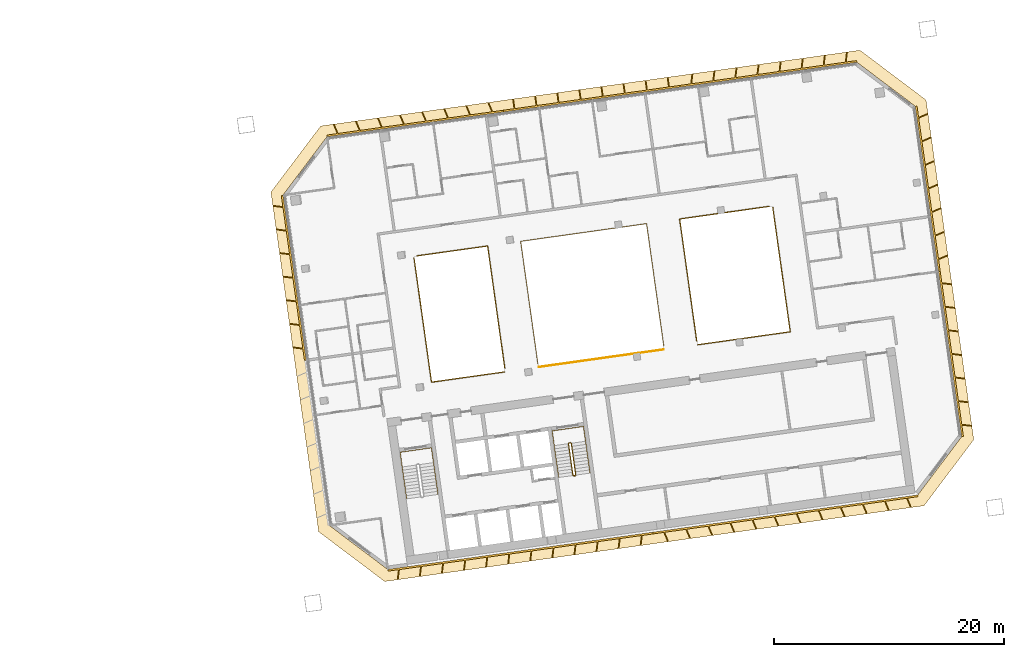
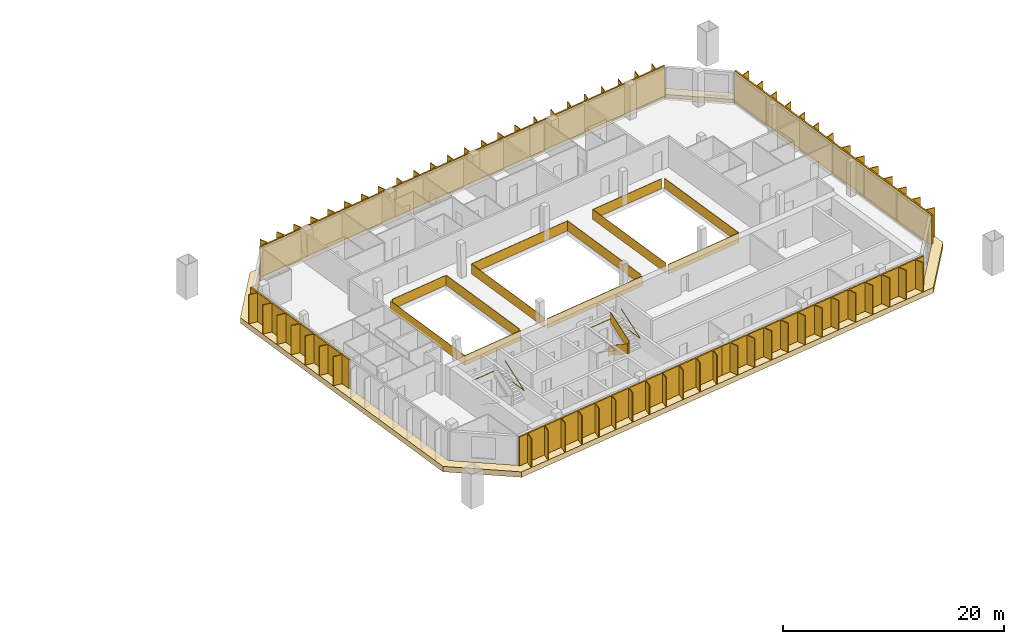
# One storey, part 23 of 23: 9 railings, 8 shading devices, 1 covering.
"""IFC4 building model written with IfcOpenShell, lengths in metres."""

from ifc_helpers import new_model, si_unit, direction, frame, origin, origin_2d, place, context, subcontext, project, spatial, polyline, rectangle, outline, extrude, material, layer, layer_set, type_object, element, save


model = new_model("IFC4")

# Units and contexts
model_context = context("Model", 3, precision=1e-05, world=origin(), true_north=direction((0.0, 1.0)))
body_context = subcontext(model_context, "Body", "Model", "MODEL_VIEW")
ifc_project = project(units=[si_unit("LENGTHUNIT", "METRE"), si_unit("AREAUNIT", "SQUARE_METRE"), si_unit("VOLUMEUNIT", "CUBIC_METRE"), si_unit("PLANEANGLEUNIT", "RADIAN"), si_unit("MASSUNIT", "GRAM", prefix="KILO")], contexts=[model_context])

# Site, building, storey
site_placement = place(None, origin())
site = spatial("IfcSite", under=ifc_project, at=site_placement, CompositionType="ELEMENT")
building_placement = place(site_placement, origin())
building = spatial("IfcBuilding", under=site, at=building_placement, Name="Mirante Cascada Hotel Towers", CompositionType="ELEMENT")
storey_placement = place(building_placement, frame((0.0, 0.0, 187.8)))
storey = spatial("IfcBuildingStorey", under=building, at=storey_placement, Name="L44", CompositionType="ELEMENT", Elevation=187.8)

# Railings
ifc_material_1 = material(Name="Toughened glass with stainless steel handrail", Category="steel")
railing_type_1 = type_object("IfcRailingType", Name="Atrium guard 1100 glass balustrade", PredefinedType="GUARDRAIL", material=ifc_material_1)
railing_1_placement = place(storey_placement, frame((37.864, 6.7125, 0.0)))
element("IfcRailing", 1, at=railing_1_placement, inside=storey, type_object=railing_type_1, Name="GUARD 2-L44-1", PredefinedType="GUARDRAIL", context=body_context, shape_type="SweptSolid", body=[
    extrude(rectangle(XDim=0.048, YDim=0.048, at=origin_2d()), frame((0.0, 0.0, 1.076), z_axis=(0.1391712, -0.9902683, 0.0), x_axis=(0.9902683, 0.1391712, 0.0)), (0.0, 0.0, 1.0), 10.9333),
    extrude(rectangle(XDim=0.02, YDim=1.052, at=origin_2d()), frame((0.0, 0.0, 0.526), z_axis=(0.1391712, -0.9902683, 0.0), x_axis=(0.9902683, 0.1391712, 0.0)), (0.0, 0.0, 1.0), 10.9333),
    extrude(rectangle(XDim=0.048, YDim=0.048, at=origin_2d()), frame((1.5216, -10.8269, 1.076), z_axis=(0.9902682, 0.1391722, 0.0), x_axis=(-0.1391722, 0.9902682, 0.0)), (0.0, 0.0, 1.0), 6.4309),
    extrude(rectangle(XDim=0.02, YDim=1.052, at=origin_2d()), frame((1.5216, -10.8269, 0.526), z_axis=(0.9902682, 0.1391722, 0.0), x_axis=(-0.1391722, 0.9902682, 0.0)), (0.0, 0.0, 1.0), 6.4309),
])
railing_2_placement = place(storey_placement, frame((48.7247, -2.8018, 0.0)))
element("IfcRailing", 2, at=railing_2_placement, inside=storey, type_object=railing_type_1, Name="GUARD 2-L44-2", PredefinedType="GUARDRAIL", context=body_context, shape_type="SweptSolid", body=[
    extrude(rectangle(XDim=0.048, YDim=0.048, at=origin_2d()), frame((0.0, 0.0, 1.076), z_axis=(0.9902678, 0.139175, 0.0), x_axis=(-0.139175, 0.9902678, 0.0)), (0.0, 0.0, 1.0), 10.9581),
    extrude(rectangle(XDim=0.02, YDim=1.052, at=origin_2d()), frame((0.0, 0.0, 0.526), z_axis=(0.9902678, 0.139175, 0.0), x_axis=(-0.139175, 0.9902678, 0.0)), (0.0, 0.0, 1.0), 10.9581),
])
railing_3_placement = place(storey_placement, frame((62.5471, -0.8592, 0.0)))
element("IfcRailing", 3, at=railing_3_placement, inside=storey, type_object=railing_type_1, Name="GUARD 2-L44-3", PredefinedType="GUARDRAIL", context=body_context, shape_type="SweptSolid", body=[
    extrude(rectangle(XDim=0.048, YDim=0.048, at=origin_2d()), frame((0.0, 0.0, 1.076), z_axis=(-1.0, 0.0, 0.0), x_axis=(0.0, -1.0, 0.0)), (0.0, 0.0, 1.0), 0.0001),
    extrude(rectangle(XDim=0.02, YDim=1.052, at=origin_2d()), frame((0.0, 0.0, 0.526), z_axis=(-1.0, 0.0, 0.0), x_axis=(0.0, -1.0, 0.0)), (0.0, 0.0, 1.0), 0.0001),
    extrude(rectangle(XDim=0.048, YDim=0.048, at=origin_2d()), frame((-0.0001, 0.0, 1.076), z_axis=(0.9902685, 0.1391702, 0.0), x_axis=(-0.1391702, 0.9902685, 0.0)), (0.0, 0.0, 1.0), 8.1109),
    extrude(rectangle(XDim=0.02, YDim=1.052, at=origin_2d()), frame((-0.0001, 0.0, 0.526), z_axis=(0.9902685, 0.1391702, 0.0), x_axis=(-0.1391702, 0.9902685, 0.0)), (0.0, 0.0, 1.0), 8.1109),
    extrude(rectangle(XDim=0.048, YDim=0.048, at=origin_2d()), frame((8.0319, 1.1288, 1.076), z_axis=(-0.1391712, 0.9902683, 0.0), x_axis=(-0.9902683, -0.1391712, 0.0)), (0.0, 0.0, 1.0), 10.9333),
    extrude(rectangle(XDim=0.02, YDim=1.052, at=origin_2d()), frame((8.0319, 1.1288, 0.526), z_axis=(-0.1391712, 0.9902683, 0.0), x_axis=(-0.9902683, -0.1391712, 0.0)), (0.0, 0.0, 1.0), 10.9333),
])
railing_4_placement = place(storey_placement, frame((45.7613, -2.9198, 0.0)))
element("IfcRailing", 4, at=railing_4_placement, inside=storey, type_object=railing_type_1, Name="GUARD 2-L44-4", PredefinedType="GUARDRAIL", context=body_context, shape_type="SweptSolid", body=[
    extrude(rectangle(XDim=0.048, YDim=0.048, at=origin_2d()), frame((0.0, 0.0, 1.076), z_axis=(-0.1391702, 0.9902685, 0.0), x_axis=(-0.9902685, -0.1391702, 0.0)), (0.0, 0.0, 1.0), 10.7545),
    extrude(rectangle(XDim=0.02, YDim=1.052, at=origin_2d()), frame((0.0, 0.0, 0.526), z_axis=(-0.1391702, 0.9902685, 0.0), x_axis=(-0.9902685, -0.1391702, 0.0)), (0.0, 0.0, 1.0), 10.7545),
    extrude(rectangle(XDim=0.048, YDim=0.048, at=origin_2d()), frame((-1.4967, 10.6498, 1.076), z_axis=(-0.9902677, -0.1391755, 0.0), x_axis=(0.1391755, -0.9902677, 0.0)), (0.0, 0.0, 1.0), 6.2037),
    extrude(rectangle(XDim=0.02, YDim=1.052, at=origin_2d()), frame((-1.4967, 10.6498, 0.526), z_axis=(-0.9902677, -0.1391755, 0.0), x_axis=(0.1391755, -0.9902677, 0.0)), (0.0, 0.0, 1.0), 6.2037),
])
railing_5_placement = place(storey_placement, frame((59.5836, -0.9772, 0.0)))
element("IfcRailing", 5, at=railing_5_placement, inside=storey, type_object=railing_type_1, Name="GUARD 2-L44-5", PredefinedType="GUARDRAIL", context=body_context, shape_type="SweptSolid", body=[
    extrude(rectangle(XDim=0.048, YDim=0.048, at=origin_2d()), frame((0.0, 0.0, 1.076), z_axis=(-0.1391702, 0.9902685, 0.0), x_axis=(-0.9902685, -0.1391702, 0.0)), (0.0, 0.0, 1.0), 10.7545),
    extrude(rectangle(XDim=0.02, YDim=1.052, at=origin_2d()), frame((0.0, 0.0, 0.526), z_axis=(-0.1391702, 0.9902685, 0.0), x_axis=(-0.9902685, -0.1391702, 0.0)), (0.0, 0.0, 1.0), 10.7545),
    extrude(rectangle(XDim=0.048, YDim=0.048, at=origin_2d()), frame((-1.4967, 10.6498, 1.076), z_axis=(-0.9902684, -0.1391708, 0.0), x_axis=(0.1391708, -0.9902684, 0.0)), (0.0, 0.0, 1.0), 11.0562),
    extrude(rectangle(XDim=0.02, YDim=1.052, at=origin_2d()), frame((-1.4967, 10.6498, 0.526), z_axis=(-0.9902684, -0.1391708, 0.0), x_axis=(0.1391708, -0.9902684, 0.0)), (0.0, 0.0, 1.0), 11.0562),
    extrude(rectangle(XDim=0.048, YDim=0.048, at=origin_2d()), frame((-12.4453, 9.1111, 1.076), z_axis=(0.1391702, -0.9902685, 0.0), x_axis=(0.9902685, 0.1391702, 0.0)), (0.0, 0.0, 1.0), 10.7545),
    extrude(rectangle(XDim=0.02, YDim=1.052, at=origin_2d()), frame((-12.4453, 9.1111, 0.526), z_axis=(0.1391702, -0.9902685, 0.0), x_axis=(0.9902685, 0.1391702, 0.0)), (0.0, 0.0, 1.0), 10.7545),
])
railing_6_placement = place(storey_placement, frame((68.7676, 11.1736, 0.0)))
element("IfcRailing", 6, at=railing_6_placement, inside=storey, type_object=railing_type_1, Name="GUARD 2-L44-6", PredefinedType="GUARDRAIL", context=body_context, shape_type="SweptSolid", body=[
    extrude(rectangle(XDim=0.048, YDim=0.048, at=origin_2d()), frame((0.0, 0.0, 1.076), z_axis=(-0.9902699, -0.1391604, 0.0), x_axis=(0.1391604, -0.9902699, 0.0)), (0.0, 0.0, 1.0), 7.8837),
    extrude(rectangle(XDim=0.02, YDim=1.052, at=origin_2d()), frame((0.0, 0.0, 0.526), z_axis=(-0.9902699, -0.1391604, 0.0), x_axis=(0.1391604, -0.9902699, 0.0)), (0.0, 0.0, 1.0), 7.8837),
    extrude(rectangle(XDim=0.048, YDim=0.048, at=origin_2d()), frame((-7.807, -1.0971, 1.076), z_axis=(0.1391702, -0.9902685, 0.0), x_axis=(0.9902685, 0.1391702, 0.0)), (0.0, 0.0, 1.0), 10.7545),
    extrude(rectangle(XDim=0.02, YDim=1.052, at=origin_2d()), frame((-7.807, -1.0971, 0.526), z_axis=(0.1391702, -0.9902685, 0.0), x_axis=(0.9902685, 0.1391702, 0.0)), (0.0, 0.0, 1.0), 10.7545),
])

# Covering
ifc_material_2 = material(Name="Precast concrete C40/50 white", Category="concrete")
ifc_layer = layer(ifc_material_2, 0.6)
ifc_layer_set = layer_set([ifc_layer], Name="Precast concrete SUNSHADE band 1000x600")
covering_type = type_object("IfcCoveringType", Name="Precast concrete SUNSHADE band 1000x600", PredefinedType="CLADDING", material=ifc_layer_set)
covering_placement = place(storey_placement, frame((0.0, 0.0, -0.45)))
element("IfcCovering", 7, at=covering_placement, inside=storey, type_object=covering_type, Name="Precast concrete SUNSHADE band T2 L44", PredefinedType="CLADDING", context=body_context, shape_type="SweptSolid", body=[
    extrude(outline(polyline([(25.4216, 12.4173), (29.7501, 18.1614), (76.645, 24.7521), (82.3891, 20.4236), (86.5404, -9.1145), (82.2119, -14.8586), (35.317, -21.4493), (29.5729, -17.1208), (25.4216, 12.4173)]), holes=[polyline([(85.4925, -8.8435), (81.4565, 19.8742), (76.374, 23.7042), (30.2994, 17.2288), (26.4695, 12.1463), (30.5055, -16.5715), (35.588, -20.4014), (81.6626, -13.926), (85.4925, -8.8435)])]), origin(), (0.0, 0.0, 1.0), 0.6),
])

# Railings
ifc_material_3 = material(Name="Painted steel", Category="steel")
railing_type_2 = type_object("IfcRailingType", Name="Stair guard 1100 steel balustrade", PredefinedType="GUARDRAIL", material=ifc_material_3)
railing_7_placement = place(storey_placement, frame((51.4864, -9.3815, 0.0)))
element("IfcRailing", 8, at=railing_7_placement, inside=storey, type_object=railing_type_2, Name="L44 ST2-B stair guard 1", PredefinedType="GUARDRAIL", context=body_context, shape_type="SweptSolid", body=[
    extrude(rectangle(XDim=0.048, YDim=0.048, at=origin_2d()), frame((0.0, 0.0, 1.076), z_axis=(-0.9902408, -0.1393672, 0.0), x_axis=(0.1393672, -0.9902408, 0.0)), (0.0, 0.0, 1.0), 0.15),
    extrude(rectangle(XDim=0.02, YDim=1.052, at=origin_2d()), frame((0.0, 0.0, 0.526), z_axis=(-0.9902408, -0.1393672, 0.0), x_axis=(0.1393672, -0.9902408, 0.0)), (0.0, 0.0, 1.0), 0.15),
    extrude(rectangle(XDim=0.048, YDim=0.048, at=origin_2d()), frame((-0.1485, -0.0209, 1.076), z_axis=(-0.6020331, -0.7984711, 0.0), x_axis=(0.7984711, -0.6020331, 0.0)), (0.0, 0.9253398, 0.3791387), 0.1866),
    extrude(rectangle(XDim=0.02, YDim=1.052, at=origin_2d()), frame((-0.1485, -0.0209, 0.526), z_axis=(-0.6020331, -0.7984711, 0.0), x_axis=(0.7984711, -0.6020331, 0.0)), (0.0, 0.9253398, 0.3791387), 0.1866),
    extrude(rectangle(XDim=0.048, YDim=0.048, at=origin_2d()), frame((-0.1911, -0.0774, 1.2487), z_axis=(0.139181, -0.990267, 0.0), x_axis=(0.990267, 0.139181, 0.0)), (0.0, 0.5250347, 0.8510808), 3.2899),
    extrude(rectangle(XDim=0.02, YDim=1.052, at=origin_2d()), frame((-0.1911, -0.0774, 0.6987), z_axis=(0.139181, -0.990267, 0.0), x_axis=(0.990267, 0.139181, 0.0)), (0.0, 0.5250347, 0.8510808), 3.2899),
    extrude(rectangle(XDim=0.048, YDim=0.048, at=origin_2d()), frame((0.1986, -2.8501, 2.976), z_axis=(0.9944441, -0.1052656, 0.0), x_axis=(0.1052656, 0.9944441, 0.0)), (0.0, 0.0, 1.0), 0.2061),
    extrude(rectangle(XDim=0.02, YDim=1.052, at=origin_2d()), frame((0.1986, -2.8501, 2.426), z_axis=(0.9944441, -0.1052656, 0.0), x_axis=(0.1052656, 0.9944441, 0.0)), (0.0, 0.0, 1.0), 0.2061),
    extrude(rectangle(XDim=0.048, YDim=0.048, at=origin_2d()), frame((0.4036, -2.8718, 2.976), z_axis=(-0.9902408, -0.1393672, 0.0), x_axis=(0.1393672, -0.9902408, 0.0)), (0.0, 0.0, 1.0), 0.15),
    extrude(rectangle(XDim=0.02, YDim=1.052, at=origin_2d()), frame((0.4036, -2.8718, 2.426), z_axis=(-0.9902408, -0.1393672, 0.0), x_axis=(0.1393672, -0.9902408, 0.0)), (0.0, 0.0, 1.0), 0.15),
    extrude(rectangle(XDim=0.048, YDim=0.048, at=origin_2d()), frame((0.2551, -2.8927, 2.976), z_axis=(0.9268624, 0.3754011, 0.0), x_axis=(-0.3754011, 0.9268624, 0.0)), (0.0, 0.6421217, 0.7666028), 0.269),
    extrude(rectangle(XDim=0.02, YDim=1.052, at=origin_2d()), frame((0.2551, -2.8927, 2.426), z_axis=(0.9268624, 0.3754011, 0.0), x_axis=(-0.3754011, 0.9268624, 0.0)), (0.0, 0.6421217, 0.7666028), 0.269),
    extrude(rectangle(XDim=0.048, YDim=0.048, at=origin_2d()), frame((0.4462, -2.8153, 3.1487), z_axis=(-0.139181, 0.990267, 0.0), x_axis=(-0.990267, -0.139181, 0.0)), (0.0, 0.5250347, 0.8510808), 3.2899),
    extrude(rectangle(XDim=0.02, YDim=1.052, at=origin_2d()), frame((0.4462, -2.8153, 2.5987), z_axis=(-0.139181, 0.990267, 0.0), x_axis=(-0.990267, -0.139181, 0.0)), (0.0, 0.5250347, 0.8510808), 3.2899),
])
ifc_material_4 = material(Name="Painted steel", Category="steel")
railing_type_3 = type_object("IfcRailingType", Name="Stair handrail 900 steel tube", PredefinedType="HANDRAIL", material=ifc_material_4)
railing_8_placement = place(storey_placement, frame((36.8374, -11.4908, 0.1727)))
element("IfcRailing", 9, at=railing_8_placement, inside=storey, type_object=railing_type_3, Name="L44 ST2-A stair handrail 1", PredefinedType="HANDRAIL", context=body_context, shape_type="SweptSolid", body=[
    extrude(rectangle(XDim=0.048, YDim=0.048, at=origin_2d()), frame((0.0, 0.0, 0.876), z_axis=(0.139181, -0.990267, 0.0), x_axis=(0.990267, 0.139181, 0.0)), (0.0, 0.5250347, 0.8510808), 3.2899),
    extrude(rectangle(XDim=0.048, YDim=0.048, at=origin_2d()), frame((0.3897, -2.7727, 2.6033), z_axis=(-0.1391707, 0.9902684, 0.0), x_axis=(-0.9902684, -0.1391707, 0.0)), (0.0, 0.0420846, 0.999114), 4.1036),
    extrude(rectangle(XDim=0.048, YDim=0.048, at=origin_2d()), frame((-0.1809, 1.2874, 2.776), z_axis=(0.9902691, 0.1391657, 0.0), x_axis=(-0.1391657, 0.9902691, 0.0)), (0.0, 0.0, 1.0), 2.75),
    extrude(rectangle(XDim=0.048, YDim=0.048, at=origin_2d()), frame((2.5423, 1.6701, 2.776), z_axis=(0.1391707, -0.9902684, 0.0), x_axis=(0.9902684, 0.1391707, 0.0)), (0.0, 0.0, 1.0), 4.1),
    extrude(rectangle(XDim=0.048, YDim=0.048, at=origin_2d()), frame((3.1129, -2.39, 2.776), z_axis=(-0.139181, 0.990267, 0.0), x_axis=(-0.990267, -0.139181, 0.0)), (0.0, 0.5250347, 0.8510808), 3.2899),
])
railing_9_placement = place(storey_placement, frame((50.0575, -9.6328, 0.1727)))
element("IfcRailing", 10, at=railing_9_placement, inside=storey, type_object=railing_type_3, Name="L44 ST2-B stair handrail 1", PredefinedType="HANDRAIL", context=body_context, shape_type="SweptSolid", body=[
    extrude(rectangle(XDim=0.048, YDim=0.048, at=origin_2d()), frame((0.0, 0.0, 0.876), z_axis=(0.139176, -0.9902677, 0.0), x_axis=(0.9902677, 0.139176, 0.0)), (0.0, 0.5250212, 0.8510891), 3.29),
    extrude(rectangle(XDim=0.048, YDim=0.048, at=origin_2d()), frame((0.3897, -2.7728, 2.6033), z_axis=(-0.1391707, 0.9902684, 0.0), x_axis=(-0.9902684, -0.1391707, 0.0)), (0.0, 0.0420846, 0.999114), 4.1036),
    extrude(rectangle(XDim=0.048, YDim=0.048, at=origin_2d()), frame((-0.1809, 1.2873, 2.776), z_axis=(0.9902641, 0.1392013, 0.0), x_axis=(-0.1392013, 0.9902641, 0.0)), (0.0, 0.0, 1.0), 2.75),
    extrude(rectangle(XDim=0.048, YDim=0.048, at=origin_2d()), frame((2.5423, 1.6701, 2.776), z_axis=(0.1391707, -0.9902684, 0.0), x_axis=(0.9902684, 0.1391707, 0.0)), (0.0, 0.0, 1.0), 4.1),
    extrude(rectangle(XDim=0.048, YDim=0.048, at=origin_2d()), frame((3.1129, -2.39, 2.776), z_axis=(-0.139181, 0.990267, 0.0), x_axis=(-0.990267, -0.139181, 0.0)), (0.0, 0.5250347, 0.8510808), 3.2899),
])

# Shading devices
ifc_material_5 = material(Name="White precast concrete C50/60 fin", Category="concrete")
shading_device_type = type_object("IfcShadingDeviceType", Name="Vertical fin set 4500x900", PredefinedType="USERDEFINED", material=ifc_material_5)
shading_device_1_placement = place(storey_placement, origin())
element("IfcShadingDevice", 11, at=shading_device_1_placement, inside=storey, type_object=shading_device_type, Name="FIN T2 L44 front 1", ObjectType="FIN", PredefinedType="USERDEFINED", context=body_context, shape_type="SweptSolid", body=[
    extrude(outline(polyline([(62.1112, 22.6681), (62.0091, 21.8368), (63.8468, 22.0951), (63.9515, 22.9476), (64.0309, 22.9379), (63.9289, 22.1066), (65.7666, 22.3649), (65.8713, 23.2174), (65.9507, 23.2077), (65.8486, 22.3764), (67.6864, 22.6347), (67.7911, 23.4872), (67.8705, 23.4775), (67.7684, 22.6462), (69.6062, 22.9045), (69.7108, 23.757), (69.7902, 23.7473), (69.6882, 22.916), (71.5259, 23.1743), (71.6306, 24.0268), (71.71, 24.0171), (71.6079, 23.1858), (73.4457, 23.4441), (73.5504, 24.2966), (73.6298, 24.2869), (73.5277, 23.4556), (75.3655, 23.7139), (75.4702, 24.5665), (75.5496, 24.5567), (75.4475, 23.7254), (76.3531, 23.8527), (76.374, 23.7042), (61.0158, 21.5457), (60.9949, 21.6943), (61.9271, 21.8253), (62.0317, 22.6778), (62.1112, 22.6681)])), origin(), (0.0, 0.0, 1.0), 3.35),
])
shading_device_2_placement = place(storey_placement, origin())
element("IfcShadingDevice", 12, at=shading_device_2_placement, inside=storey, type_object=shading_device_type, Name="FIN T2 L44 front 2", ObjectType="FIN", PredefinedType="USERDEFINED", context=body_context, shape_type="SweptSolid", body=[
    extrude(outline(polyline([(46.5179, 20.518), (46.6362, 19.6763), (48.4768, 19.9349), (48.3585, 20.7767), (48.4377, 20.7878), (48.556, 19.9461), (50.3966, 20.2047), (50.2783, 21.0465), (50.3575, 21.0576), (50.4758, 20.2159), (52.3163, 20.4746), (52.198, 21.3163), (52.2773, 21.3274), (52.3956, 20.4857), (54.2361, 20.7444), (54.1178, 21.5861), (54.197, 21.5972), (54.3153, 20.7555), (56.1559, 21.0142), (56.0376, 21.8559), (56.1168, 21.867), (56.2351, 21.0253), (58.0757, 21.284), (57.9574, 22.1257), (58.0366, 22.1368), (58.1549, 21.2951), (59.9954, 21.5538), (59.8771, 22.3955), (59.9563, 22.4066), (60.0746, 21.5649), (60.9949, 21.6943), (61.0158, 21.5457), (45.6576, 19.3873), (45.6367, 19.5358), (46.557, 19.6651), (46.4387, 20.5069), (46.5179, 20.518)])), origin(), (0.0, 0.0, 1.0), 3.35),
])
shading_device_3_placement = place(storey_placement, origin())
element("IfcShadingDevice", 13, at=shading_device_3_placement, inside=storey, type_object=shading_device_type, Name="FIN T2 L44 front 3", ObjectType="FIN", PredefinedType="USERDEFINED", context=body_context, shape_type="SweptSolid", body=[
    extrude(outline(polyline([(30.9306, 18.3068), (31.2662, 17.5161), (33.1039, 17.7744), (32.7767, 18.5454), (32.8503, 18.5766), (33.186, 17.786), (35.0237, 18.0442), (34.6965, 18.8152), (34.7701, 18.8464), (35.1057, 18.0558), (36.9435, 18.314), (36.6162, 19.085), (36.6899, 19.1162), (37.0255, 18.3256), (38.8633, 18.5838), (38.536, 19.3548), (38.6097, 19.386), (38.9453, 18.5954), (40.783, 18.8537), (40.4558, 19.6246), (40.5294, 19.6559), (40.865, 18.8652), (42.7028, 19.1235), (42.3756, 19.8944), (42.4492, 19.9257), (42.7848, 19.135), (44.6226, 19.3933), (44.2953, 20.1642), (44.369, 20.1955), (44.7046, 19.4048), (45.6367, 19.5358), (45.6576, 19.3873), (30.2994, 17.2288), (30.2786, 17.3773), (31.1842, 17.5046), (30.8569, 18.2756), (30.9306, 18.3068)])), origin(), (0.0, 0.0, 1.0), 3.35),
])
shading_device_4_placement = place(storey_placement, origin())
element("IfcShadingDevice", 14, at=shading_device_4_placement, inside=storey, type_object=shading_device_type, Name="FIN T2 L44 inner 1", ObjectType="FIN", PredefinedType="USERDEFINED", context=body_context, shape_type="SweptSolid", body=[
    extrude(outline(polyline([(27.3559, -1.0515), (28.1872, -1.1535), (27.9104, 0.8157), (27.0579, 0.9204), (27.0676, 0.9998), (27.8989, 0.8977), (27.6222, 2.867), (26.7696, 2.9717), (26.7794, 3.0511), (27.6106, 2.949), (27.3339, 4.9183), (26.4813, 5.0229), (26.4911, 5.1023), (27.3223, 5.0003), (27.0456, 6.9695), (26.193, 7.0742), (26.2028, 7.1536), (27.0341, 7.0515), (26.7573, 9.0208), (25.9047, 9.1255), (25.9145, 9.2049), (26.7458, 9.1028), (26.469, 11.0721), (25.6165, 11.1767), (25.6262, 11.2562), (26.4575, 11.1541), (26.321, 12.1254), (26.4695, 12.1463), (28.4875, -2.2126), (28.339, -2.2334), (28.1987, -1.2355), (27.3462, -1.1309), (27.3559, -1.0515)])), origin(), (0.0, 0.0, 1.0), 3.35),
])
shading_device_5_placement = place(storey_placement, origin())
element("IfcShadingDevice", 15, at=shading_device_5_placement, inside=storey, type_object=shading_device_type, Name="FIN T2 L44 outer 1", ObjectType="FIN", PredefinedType="USERDEFINED", context=body_context, shape_type="SweptSolid", body=[
    extrude(outline(polyline([(86.3358, -7.9534), (85.5045, -7.8513), (85.641, -8.8227), (85.4925, -8.8435), (83.4745, 5.5153), (83.623, 5.5362), (83.7633, 4.5383), (84.6158, 4.4336), (84.6061, 4.3542), (83.7748, 4.4563), (84.0515, 2.4871), (84.9041, 2.3824), (84.8943, 2.303), (84.0631, 2.405), (84.3398, 0.4358), (85.1924, 0.3311), (85.1826, 0.2517), (84.3514, 0.3538), (84.6281, -1.6155), (85.4807, -1.7202), (85.4709, -1.7996), (84.6396, -1.6975), (84.9164, -3.6667), (85.769, -3.7714), (85.7592, -3.8508), (84.9279, -3.7488), (85.2047, -5.718), (86.0572, -5.8227), (86.0475, -5.9021), (85.2162, -5.8), (85.493, -7.7693), (86.3455, -7.874), (86.3358, -7.9534)])), origin(), (0.0, 0.0, 1.0), 3.35),
])
shading_device_6_placement = place(storey_placement, origin())
element("IfcShadingDevice", 16, at=shading_device_6_placement, inside=storey, type_object=shading_device_type, Name="FIN T2 L44 outer 2", ObjectType="FIN", PredefinedType="USERDEFINED", context=body_context, shape_type="SweptSolid", body=[
    extrude(outline(polyline([(84.2734, 6.8697), (83.4828, 6.5341), (83.623, 5.5362), (83.4745, 5.5153), (81.4565, 19.8742), (81.605, 19.8951), (81.7415, 18.9238), (82.5125, 19.251), (82.5437, 19.1774), (81.753, 18.8417), (82.0298, 16.8725), (82.8007, 17.1997), (82.832, 17.1261), (82.0413, 16.7905), (82.3181, 14.8212), (83.089, 15.1485), (83.1203, 15.0748), (82.3296, 14.7392), (82.6064, 12.7699), (83.3773, 13.0972), (83.4086, 13.0235), (82.6179, 12.6879), (82.8947, 10.7187), (83.6656, 11.0459), (83.6969, 10.9723), (82.9062, 10.6367), (83.183, 8.6674), (83.9539, 8.9946), (83.9852, 8.921), (83.1945, 8.5854), (83.4712, 6.6161), (84.2422, 6.9434), (84.2734, 6.8697)])), origin(), (0.0, 0.0, 1.0), 3.35),
])
shading_device_7_placement = place(storey_placement, origin())
element("IfcShadingDevice", 17, at=shading_device_7_placement, inside=storey, type_object=shading_device_type, Name="FIN T2 L44 rear 1", ObjectType="FIN", PredefinedType="USERDEFINED", context=body_context, shape_type="SweptSolid", body=[
    extrude(outline(polyline([(36.4124, -21.2539), (36.5145, -20.4226), (35.6089, -20.5499), (35.588, -20.4014), (58.6253, -17.1637), (58.6462, -17.3122), (57.714, -17.4432), (57.6093, -18.2958), (57.5299, -18.286), (57.632, -17.4548), (55.7942, -17.7131), (55.6896, -18.5656), (55.6102, -18.5559), (55.7122, -17.7246), (53.8745, -17.9829), (53.7698, -18.8354), (53.6904, -18.8257), (53.7925, -17.9944), (51.9547, -18.2527), (51.85, -19.1052), (51.7706, -19.0955), (51.8727, -18.2642), (50.0349, -18.5225), (49.9302, -19.375), (49.8508, -19.3653), (49.9529, -18.534), (48.1151, -18.7923), (48.0105, -19.6448), (47.9311, -19.6351), (48.0331, -18.8038), (46.1954, -19.0621), (46.0907, -19.9146), (46.0113, -19.9049), (46.1134, -19.0736), (44.2756, -19.3319), (44.1709, -20.1844), (44.0915, -20.1747), (44.1936, -19.3434), (42.3558, -19.6017), (42.2511, -20.4543), (42.1717, -20.4445), (42.2738, -19.6132), (40.4361, -19.8715), (40.3314, -20.7241), (40.252, -20.7143), (40.354, -19.883), (38.5163, -20.1413), (38.4116, -20.9939), (38.3322, -20.9841), (38.4343, -20.1528), (36.5965, -20.4111), (36.4918, -21.2637), (36.4124, -21.2539)])), origin(), (0.0, 0.0, 1.0), 3.35),
])
shading_device_8_placement = place(storey_placement, origin())
element("IfcShadingDevice", 18, at=shading_device_8_placement, inside=storey, type_object=shading_device_type, Name="FIN T2 L44 rear 2", ObjectType="FIN", PredefinedType="USERDEFINED", context=body_context, shape_type="SweptSolid", body=[
    extrude(outline(polyline([(59.9139, -17.9719), (59.5783, -17.1812), (58.6462, -17.3122), (58.6253, -17.1637), (81.6626, -13.926), (81.6834, -14.0746), (80.7778, -14.2018), (81.1051, -14.9728), (81.0314, -15.004), (80.6958, -14.2134), (78.858, -14.4716), (79.1853, -15.2426), (79.1117, -15.2738), (78.776, -14.4832), (76.9383, -14.7415), (77.2655, -15.5124), (77.1919, -15.5437), (76.8563, -14.753), (75.0185, -15.0113), (75.3457, -15.7822), (75.2721, -15.8135), (74.9365, -15.0228), (73.0987, -15.2811), (73.426, -16.052), (73.3523, -16.0833), (73.0167, -15.2926), (71.179, -15.5509), (71.5062, -16.3218), (71.4326, -16.3531), (71.0969, -15.5624), (69.2592, -15.8207), (69.5864, -16.5916), (69.5128, -16.6229), (69.1772, -15.8322), (67.3394, -16.0905), (67.6667, -16.8614), (67.593, -16.8927), (67.2574, -16.102), (65.4196, -16.3603), (65.7469, -17.1312), (65.6732, -17.1625), (65.3376, -16.3718), (63.4999, -16.6301), (63.8271, -17.401), (63.7535, -17.4323), (63.4179, -16.6416), (61.5801, -16.8999), (61.9073, -17.6708), (61.8337, -17.7021), (61.4981, -16.9114), (59.6603, -17.1697), (59.9876, -17.9407), (59.9139, -17.9719)])), origin(), (0.0, 0.0, 1.0), 3.35),
])

save(model, "model.ifc")
